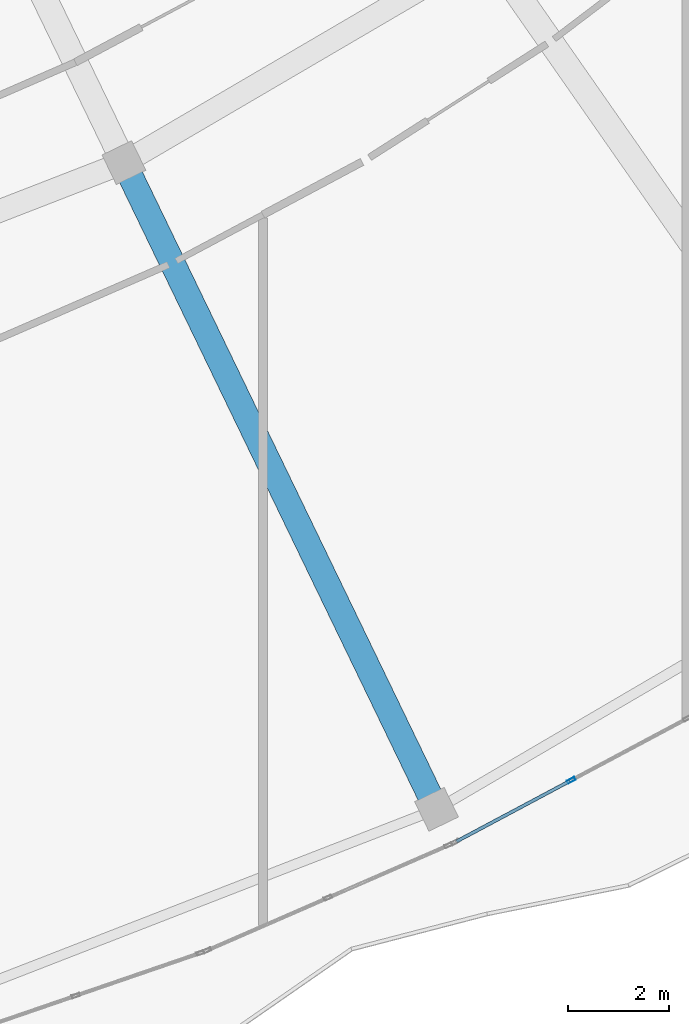
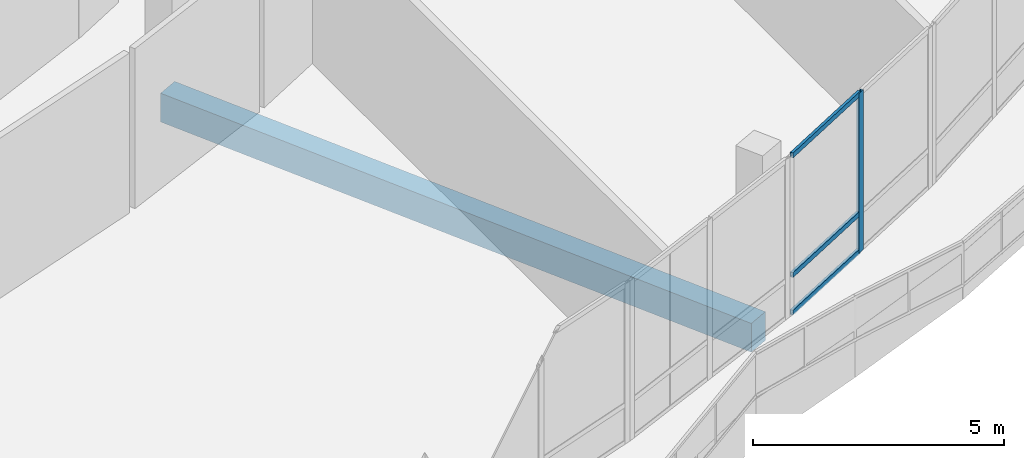
# One storey, part 47 of 184: 4 members, 1 beam, 1 element without a shape of its own.
"""IFC4 building model written with IfcOpenShell, lengths in metres."""

from ifc_helpers import new_model, si_unit, direction, frame, origin, origin_2d, place, context, subcontext, project, spatial, rectangle, hollow_rectangle, extrude, material, material_profile, profile_set, type_object, element, aggregate, save


model = new_model("IFC4")

# Units and contexts
model_context = context("Model", 3, precision=1e-05, world=origin(), true_north=direction((0.0, 1.0)))
body_context = subcontext(model_context, "Body", "Model", "MODEL_VIEW")
ifc_project = project(units=[si_unit("LENGTHUNIT", "METRE"), si_unit("AREAUNIT", "SQUARE_METRE"), si_unit("VOLUMEUNIT", "CUBIC_METRE"), si_unit("PLANEANGLEUNIT", "RADIAN"), si_unit("MASSUNIT", "GRAM", prefix="KILO")], contexts=[model_context])

# Site, building, storey
site_placement = place(None, origin())
site = spatial("IfcSite", under=ifc_project, at=site_placement, CompositionType="ELEMENT")
building_placement = place(site_placement, origin())
building = spatial("IfcBuilding", under=site, at=building_placement, Name="Selatvlak General Hospital", CompositionType="ELEMENT")
storey_placement = place(building_placement, frame((0.0, 0.0, 15.0)))
storey = spatial("IfcBuildingStorey", under=building, at=storey_placement, Name="L03", CompositionType="ELEMENT", Elevation=15.0)

# Beam
ifc_material_1 = material(Name="Concrete C40/50", Category="concrete")
ifc_material_profile_1 = material_profile(ifc_material_1, rectangle(XDim=0.5, YDim=0.699951171875, at=origin_2d()), Name="RC-BM 500x700")
ifc_profile_set_1 = profile_set([ifc_material_profile_1], Name="Concrete C40/50")
beam_type = type_object("IfcBeamType", Name="BM-G03", PredefinedType="BEAM", material=ifc_profile_set_1)
beam_placement = place(storey_placement, frame((78.842041015625, 32.22998046875, -0.68994140625), z_axis=(0.435208471864, -0.900329709616, 0.0), x_axis=(0.900329709616, 0.435208471864, 0.0)))
element("IfcBeam", 1, at=beam_placement, inside=storey, type_object=beam_type, Name="Beam BMR-L03-1470", PredefinedType="BEAM", context=body_context, shape_type="SweptSolid", body=[
    extrude(rectangle(XDim=0.5, YDim=0.699951171875, at=origin_2d()), origin(), (0.0, 0.0, 1.0), 14.25048828125),
])

# Curtain wall, members
ifc_material_2 = material(Name="Solar-control Low-E double glazing", Category="glass")
curtain_wall_type = type_object("IfcCurtainWallType", Name="CW-CW-01", PredefinedType="USERDEFINED", material=ifc_material_2)
curtain_wall_placement = place(storey_placement, origin())
curtain_wall = element("IfcCurtainWall", 2, at=curtain_wall_placement, inside=storey, type_object=curtain_wall_type, Name="Glazed facade curtain wall CW-L03-0421", ObjectType="UNITISED CURTAIN WALL", PredefinedType="USERDEFINED")
ifc_material_3 = material(Name="Dark anodised aluminium mullion", Category="aluminium")
ifc_material_profile_2 = material_profile(ifc_material_3, hollow_rectangle(XDim=0.06494140625, YDim=0.159912109375, WallThickness=0.00390625, at=origin_2d()), Name="AL-MUL 65x160x4")
ifc_profile_set_2 = profile_set([ifc_material_profile_2], Name="Dark anodised aluminium mullion")
member_type_1 = type_object("IfcMemberType", Name="CWM-01", PredefinedType="MULLION", material=ifc_profile_set_2)
member_1_placement = place(storey_placement, frame((87.715576171875, 19.97607421875, 0.0), z_axis=(0.0, 0.0, 1.0), x_axis=(0.470450719515, -0.882426269162, 0.0)))
member_1 = element("IfcMember", 3, at=member_1_placement, type_object=member_type_1, Name="CW-01 mullion 2", PredefinedType="MULLION", context=body_context, shape_type="SweptSolid", body=[
    extrude(hollow_rectangle(XDim=0.06494140625, YDim=0.159912109375, WallThickness=0.00390625, at=origin_2d()), origin(), (0.0, 0.0, 1.0), 3.89501953125),
])
ifc_material_profile_3 = material_profile(ifc_material_3, hollow_rectangle(XDim=0.06494140625, YDim=0.1201171875, WallThickness=0.00390625, at=origin_2d()), Name="AL-TRN 65x120x4")
ifc_profile_set_3 = profile_set([ifc_material_profile_3], Name="Dark anodised aluminium mullion")
member_type_2 = type_object("IfcMemberType", Name="CWT-01", PredefinedType="USERDEFINED", material=ifc_profile_set_3)
member_2_placement = place(storey_placement, frame((87.686767578125, 19.960693359375, 0.032470703125), z_axis=(-0.882435263812, -0.470433847827, 0.0), x_axis=(0.470433847827, -0.882435263812, 0.0)))
member_2 = element("IfcMember", 4, at=member_2_placement, type_object=member_type_2, Name="CW-01 transom 2.1", ObjectType="TRANSOM", PredefinedType="USERDEFINED", context=body_context, shape_type="SweptSolid", body=[
    extrude(hollow_rectangle(XDim=0.06494140625, YDim=0.1201171875, WallThickness=0.00390625, at=origin_2d()), origin(), (0.0, 0.0, 1.0), 2.54443359375),
])
member_3_placement = place(storey_placement, frame((87.686767578125, 19.960693359375, 0.949951171875), z_axis=(-0.882435263812, -0.470433847827, 0.0), x_axis=(0.470433847827, -0.882435263812, 0.0)))
member_3 = element("IfcMember", 5, at=member_3_placement, type_object=member_type_2, Name="CW-01 transom 2.2", ObjectType="TRANSOM", PredefinedType="USERDEFINED", context=body_context, shape_type="SweptSolid", body=[
    extrude(hollow_rectangle(XDim=0.06494140625, YDim=0.1201171875, WallThickness=0.00390625, at=origin_2d()), origin(), (0.0, 0.0, 1.0), 2.54443359375),
])
member_4_placement = place(storey_placement, frame((87.686767578125, 19.960693359375, 3.862548828125), z_axis=(-0.882435263812, -0.470433847827, 0.0), x_axis=(0.470433847827, -0.882435263812, 0.0)))
member_4 = element("IfcMember", 6, at=member_4_placement, type_object=member_type_2, Name="CW-01 transom 2.3", ObjectType="TRANSOM", PredefinedType="USERDEFINED", context=body_context, shape_type="SweptSolid", body=[
    extrude(hollow_rectangle(XDim=0.06494140625, YDim=0.1201171875, WallThickness=0.00390625, at=origin_2d()), origin(), (0.0, 0.0, 1.0), 2.54443359375),
])
aggregate(curtain_wall, [member_1, member_2, member_3, member_4])

save(model, "model.ifc")
